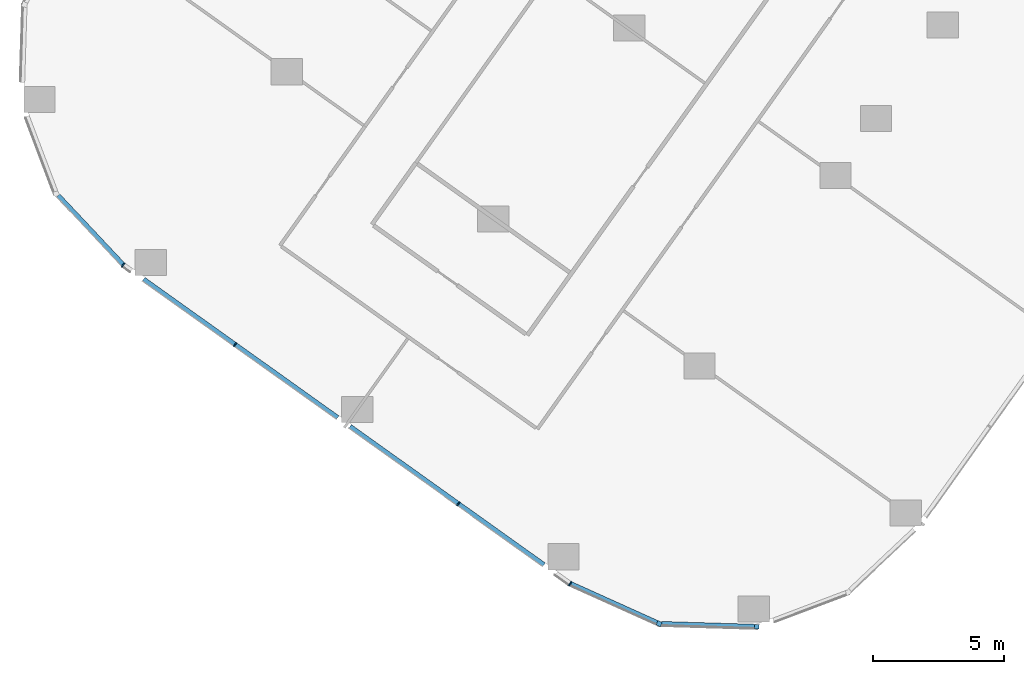
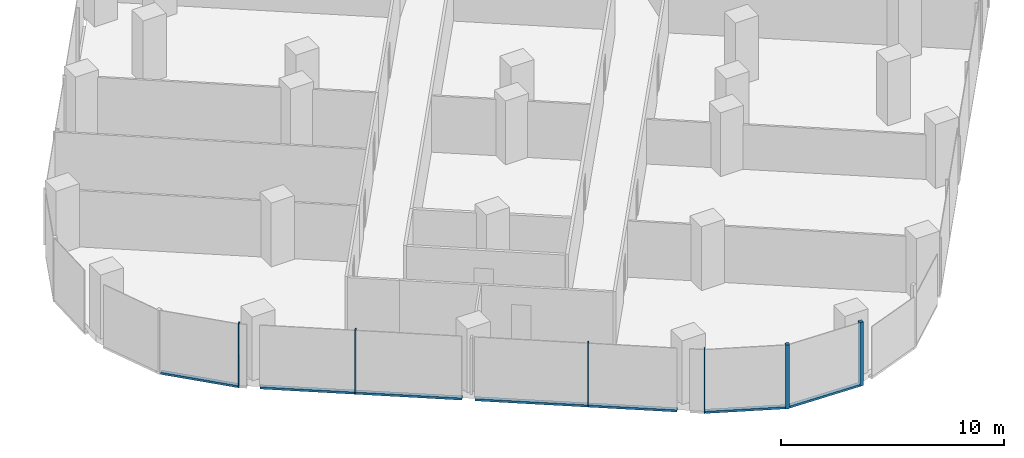
# One storey, part 2 of 31: 11 members, 4 elements without a shape of their own.
"""IFC4 building model written with IfcOpenShell, lengths in metres."""

from ifc_helpers import new_model, si_unit, direction, frame, origin, origin_2d, place, context, subcontext, project, spatial, rectangle, extrude, material, material_profile, profile_set, type_object, element, aggregate, save


model = new_model("IFC4")

# Units and contexts
model_context = context("Model", 3, precision=1e-05, world=origin(), true_north=direction((0.0, 1.0)))
body_context = subcontext(model_context, "Body", "Model", "MODEL_VIEW")
ifc_project = project(units=[si_unit("LENGTHUNIT", "METRE"), si_unit("AREAUNIT", "SQUARE_METRE"), si_unit("VOLUMEUNIT", "CUBIC_METRE"), si_unit("PLANEANGLEUNIT", "RADIAN"), si_unit("MASSUNIT", "GRAM", prefix="KILO")], contexts=[model_context])

# Site, building, storey
site_placement = place(None, origin())
site = spatial("IfcSite", under=ifc_project, at=site_placement, CompositionType="ELEMENT")
building_placement = place(site_placement, origin())
building = spatial("IfcBuilding", under=site, at=building_placement, Name="Orlundy Tower", CompositionType="ELEMENT")
storey_placement = place(building_placement, frame((0.0, 0.0, 94.699951171875)))
storey = spatial("IfcBuildingStorey", under=building, at=storey_placement, Name="L23", CompositionType="ELEMENT", Elevation=94.699951171875)

# Curtain wall, member
ifc_material_1 = material(Name="Aluminium bronze anodised", Category="aluminium")
curtain_wall_type = type_object("IfcCurtainWallType", Name="CW1 wall", PredefinedType="NOTDEFINED", material=ifc_material_1)
curtain_wall_1_placement = place(storey_placement, origin())
curtain_wall_1 = element("IfcCurtainWall", 1, at=curtain_wall_1_placement, inside=storey, type_object=curtain_wall_type, Name="CW1 run 021", PredefinedType="NOTDEFINED")
ifc_material_2 = material(Name="Aluminium bronze anodised", Category="aluminium")
ifc_material_profile_1 = material_profile(ifc_material_2, rectangle(XDim=0.179931640625, YDim=0.179931640625, at=origin_2d()), Name="CW1 corner post 180x180")
ifc_profile_set_1 = profile_set([ifc_material_profile_1], Name="Aluminium bronze anodised")
member_type_1 = type_object("IfcMemberType", Name="CW1 corner post 180x180", PredefinedType="MULLION", material=ifc_profile_set_1)
member_1_placement = place(storey_placement, frame((-19.48486328125, -57.077392578125, -0.39990234375), z_axis=(0.0, 0.0, 1.0), x_axis=(-0.030485149754, -0.999535219812, 0.0)))
member_1 = element("IfcMember", 2, at=member_1_placement, type_object=member_type_1, Name="CW1 mullion 59", PredefinedType="MULLION", context=body_context, shape_type="SweptSolid", body=[
    extrude(rectangle(XDim=0.179931640625, YDim=0.179931640625, at=origin_2d()), origin(), (0.0, 0.0, 1.0), 3.5),
])

curtain_wall_2_placement = place(storey_placement, origin())
curtain_wall_2 = element("IfcCurtainWall", 3, at=curtain_wall_2_placement, inside=storey, type_object=curtain_wall_type, Name="CW1 run 022", PredefinedType="NOTDEFINED")
member_2_placement = place(storey_placement, frame((-23.2255859375, -56.96337890625, -0.39990234375), z_axis=(0.0, 0.0, 1.0), x_axis=(-0.410914311157, -0.911673970719, 0.0)))
member_2 = element("IfcMember", 4, at=member_2_placement, type_object=member_type_1, Name="CW1 mullion 60", PredefinedType="MULLION", context=body_context, shape_type="SweptSolid", body=[
    extrude(rectangle(XDim=0.179931640625, YDim=0.179931640625, at=origin_2d()), origin(), (0.0, 0.0, 1.0), 3.5),
])

# Curtain wall, members
curtain_wall_3_placement = place(storey_placement, origin())
curtain_wall_3 = element("IfcCurtainWall", 5, at=curtain_wall_3_placement, inside=storey, type_object=curtain_wall_type, Name="CW1 run 023", PredefinedType="NOTDEFINED")
ifc_material_3 = material(Name="Aluminium bronze anodised", Category="aluminium")
ifc_material_profile_2 = material_profile(ifc_material_3, rectangle(XDim=0.179931640625, YDim=0.050048828125, at=origin_2d()), Name="CW1 mullion 50x180")
ifc_profile_set_2 = profile_set([ifc_material_profile_2], Name="Aluminium bronze anodised")
member_type_2 = type_object("IfcMemberType", Name="CW1 mullion 50x180", PredefinedType="MULLION", material=ifc_profile_set_2)
member_3_placement = place(storey_placement, frame((-26.629150390625, -55.429443359375, -0.39990234375), z_axis=(0.0, 0.0, 1.0), x_axis=(-0.498182691768, -0.867072087905, 0.0)))
member_3 = element("IfcMember", 6, at=member_3_placement, type_object=member_type_2, Name="CW1 mullion 61", PredefinedType="MULLION", context=body_context, shape_type="SweptSolid", body=[
    extrude(rectangle(XDim=0.179931640625, YDim=0.050048828125, at=origin_2d()), origin(), (0.0, 0.0, 1.0), 3.5),
])
member_4_placement = place(storey_placement, frame((-30.910400390625, -52.375732421875, -0.39990234375), z_axis=(0.0, 0.0, 1.0), x_axis=(-0.580665978686, -0.814141892545, 0.0)))
member_4 = element("IfcMember", 7, at=member_4_placement, type_object=member_type_2, Name="CW1 mullion 62", PredefinedType="MULLION", context=body_context, shape_type="SweptSolid", body=[
    extrude(rectangle(XDim=0.179931640625, YDim=0.050048828125, at=origin_2d()), origin(), (0.0, 0.0, 1.0), 3.5),
])
member_5_placement = place(storey_placement, frame((-39.458984375, -46.27880859375, -0.39990234375), z_axis=(0.0, 0.0, 1.0), x_axis=(-0.580665978686, -0.814141892545, 0.0)))
member_5 = element("IfcMember", 8, at=member_5_placement, type_object=member_type_2, Name="CW1 mullion 64", PredefinedType="MULLION", context=body_context, shape_type="SweptSolid", body=[
    extrude(rectangle(XDim=0.179931640625, YDim=0.050048828125, at=origin_2d()), origin(), (0.0, 0.0, 1.0), 3.5),
])

# Curtain wall, member
curtain_wall_4_placement = place(storey_placement, origin())
curtain_wall_4 = element("IfcCurtainWall", 9, at=curtain_wall_4_placement, inside=storey, type_object=curtain_wall_type, Name="CW1 run 024", PredefinedType="NOTDEFINED")
member_6_placement = place(storey_placement, frame((-43.740478515625, -43.22509765625, -0.39990234375), z_axis=(0.0, 0.0, 1.0), x_axis=(-0.65767995209, -0.753297471534, 0.0)))
member_6 = element("IfcMember", 10, at=member_6_placement, type_object=member_type_2, Name="CW1 mullion 65", PredefinedType="MULLION", context=body_context, shape_type="SweptSolid", body=[
    extrude(rectangle(XDim=0.179931640625, YDim=0.050048828125, at=origin_2d()), origin(), (0.0, 0.0, 1.0), 3.5),
])

# Member
ifc_material_4 = material(Name="Aluminium bronze anodised", Category="aluminium")
ifc_material_profile_3 = material_profile(ifc_material_4, rectangle(XDim=0.179931640625, YDim=0.1201171875, at=origin_2d()), Name="CW1 transom 180x120")
ifc_profile_set_3 = profile_set([ifc_material_profile_3], Name="Aluminium bronze anodised")
member_type_3 = type_object("IfcMemberType", Name="CW1 transom 180x120", PredefinedType="USERDEFINED", material=ifc_profile_set_3)
member_7_placement = place(storey_placement, frame((-19.57470703125, -57.07470703125, -0.33984375), z_axis=(-0.999535047536, 0.03049079774, 0.0), x_axis=(-0.03049079774, -0.999535047536, 0.0)))
member_7 = element("IfcMember", 11, at=member_7_placement, type_object=member_type_3, Name="CW1 transom", ObjectType="TRANSOM", PredefinedType="USERDEFINED", context=body_context, shape_type="SweptSolid", body=[
    extrude(rectangle(XDim=0.179931640625, YDim=0.1201171875, at=origin_2d()), origin(), (0.0, 0.0, 1.0), 3.55517578125),
])

aggregate(curtain_wall_1, [member_1, member_7])

member_8_placement = place(storey_placement, frame((-23.3076171875, -56.926513671875, -0.33984375), z_axis=(-0.911667559509, 0.410928535076, 0.0), x_axis=(-0.410928535076, -0.911667559509, 0.0)))
member_8 = element("IfcMember", 12, at=member_8_placement, type_object=member_type_3, Name="CW1 transom", ObjectType="TRANSOM", PredefinedType="USERDEFINED", context=body_context, shape_type="SweptSolid", body=[
    extrude(rectangle(XDim=0.179931640625, YDim=0.1201171875, at=origin_2d()), origin(), (0.0, 0.0, 1.0), 3.6181640625),
])

aggregate(curtain_wall_2, [member_2, member_8])

member_9_placement = place(storey_placement, frame((-27.636962890625, -54.71044921875, -0.33984375), z_axis=(-0.814145758742, 0.580660557919, 0.0), x_axis=(-0.580660557919, -0.814145758742, 0.0)))
member_9 = element("IfcMember", 13, at=member_9_placement, type_object=member_type_3, Name="CW1 transom", ObjectType="TRANSOM", PredefinedType="USERDEFINED", context=body_context, shape_type="SweptSolid", body=[
    extrude(rectangle(XDim=0.179931640625, YDim=0.1201171875, at=origin_2d()), origin(), (0.0, 0.0, 1.0), 9.117919921875),
])

member_10_placement = place(storey_placement, frame((-35.533935546875, -49.078125, -0.33984375), z_axis=(-0.814143896454, 0.580663169029, 0.0), x_axis=(-0.580663169029, -0.814143896454, 0.0)))
member_10 = element("IfcMember", 14, at=member_10_placement, type_object=member_type_3, Name="CW1 transom", ObjectType="TRANSOM", PredefinedType="USERDEFINED", context=body_context, shape_type="SweptSolid", body=[
    extrude(rectangle(XDim=0.179931640625, YDim=0.1201171875, at=origin_2d()), origin(), (0.0, 0.0, 1.0), 9.119140625),
])

aggregate(curtain_wall_3, [member_3, member_4, member_5, member_9, member_10])

member_11_placement = place(storey_placement, frame((-43.7578125, -43.206787109375, -0.33984375), z_axis=(-0.68521073511, 0.7283448692, 0.0), x_axis=(-0.7283448692, -0.68521073511, 0.0)))
member_11 = element("IfcMember", 15, at=member_11_placement, type_object=member_type_3, Name="CW1 transom", ObjectType="TRANSOM", PredefinedType="USERDEFINED", context=body_context, shape_type="SweptSolid", body=[
    extrude(rectangle(XDim=0.179931640625, YDim=0.1201171875, at=origin_2d()), origin(), (0.0, 0.0, 1.0), 3.611083984375),
])

aggregate(curtain_wall_4, [member_6, member_11])

save(model, "model.ifc")
